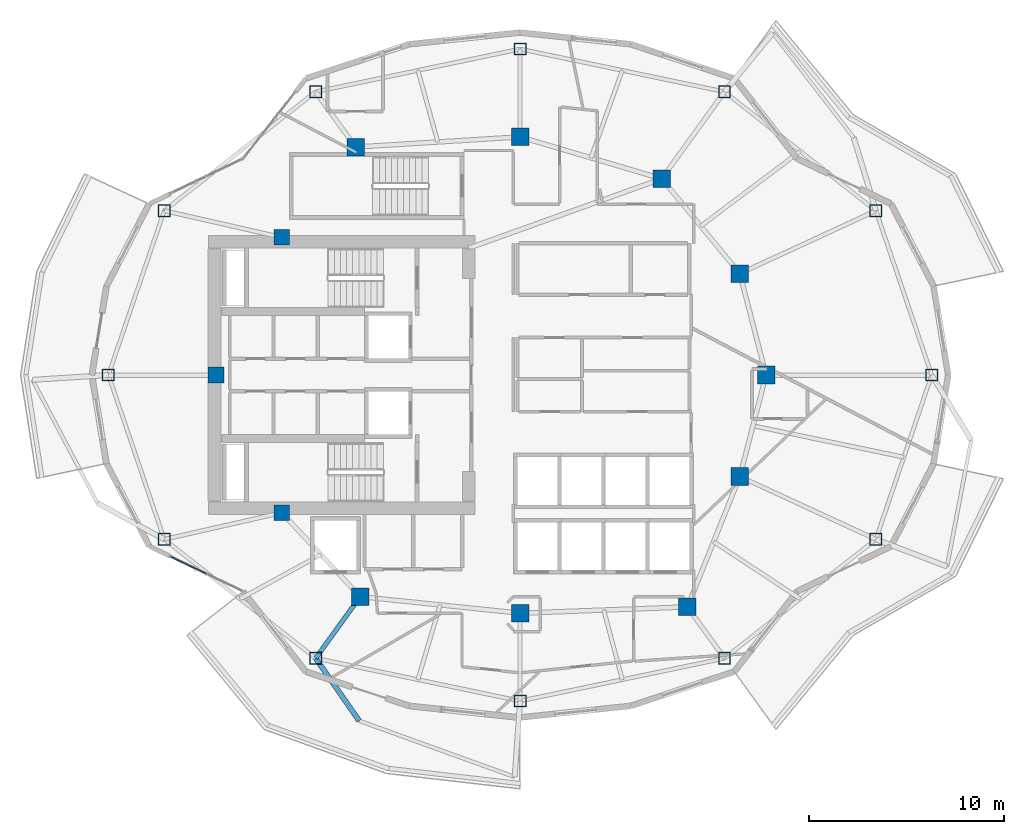
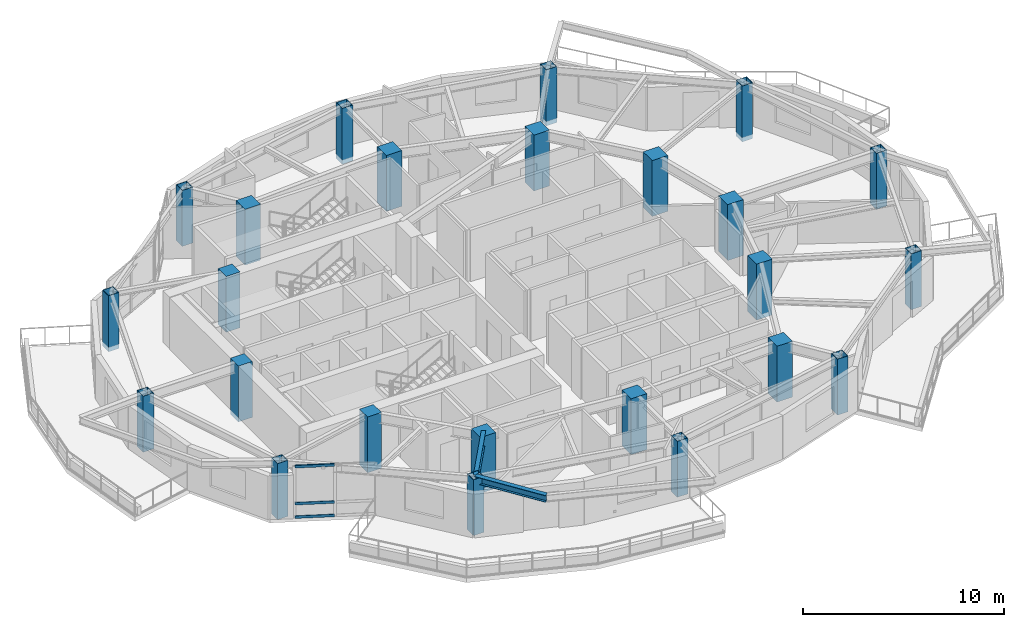
# One storey, part 1 of 13: 24 columns, 3 members, 2 beams, 1 element without a shape of its own.
"""IFC4 building model written with IfcOpenShell, lengths in metres."""

from ifc_helpers import new_model, si_unit, direction, frame, origin, origin_2d, place, context, subcontext, project, spatial, rectangle, hollow_rectangle, i_section, extrude, material, layer, layer_set, material_profile, profile_set, type_object, element, aggregate, save


model = new_model("IFC4")

# Units and contexts
model_context = context("Model", 3, precision=1e-05, world=origin(), true_north=direction((0.0, 1.0)))
body_context = subcontext(model_context, "Body", "Model", "MODEL_VIEW")
ifc_project = project(units=[si_unit("LENGTHUNIT", "METRE"), si_unit("AREAUNIT", "SQUARE_METRE"), si_unit("VOLUMEUNIT", "CUBIC_METRE"), si_unit("PLANEANGLEUNIT", "RADIAN"), si_unit("MASSUNIT", "GRAM", prefix="KILO")], contexts=[model_context])

# Site, building, storey
site_placement = place(None, origin())
site = spatial("IfcSite", under=ifc_project, at=site_placement, CompositionType="ELEMENT")
building_placement = place(site_placement, origin())
building = spatial("IfcBuilding", under=site, at=building_placement, Name="Kolvaren Gate Tower and Convention Centre", CompositionType="ELEMENT")
storey_placement = place(building_placement, frame((0.0, 0.0, 156.300048828125)))
storey = spatial("IfcBuildingStorey", under=building, at=storey_placement, Name="L40", CompositionType="ELEMENT", Elevation=156.300048828125)

# Columns
ifc_material_1 = material(Name="Structural steel ASTM A1085 Grade A 345 MPa", Category="steel")
ifc_material_profile_1 = material_profile(ifc_material_1, hollow_rectangle(XDim=0.610107421875, YDim=0.610107421875, WallThickness=0.025390625, at=origin_2d()), Name="HSS610X610X25.4")
ifc_profile_set_1 = profile_set([ifc_material_profile_1], Name="Structural steel ASTM A1085 Grade A 345 MPa")
column_type_1 = type_object("IfcColumnType", Name="STR-COL-HSS610", PredefinedType="COLUMN", material=ifc_profile_set_1)
for number, where, z_axis, x_axis, name in (
    (1, (51.21240234375, 27.0, -0.27001953125), (0.0, 0.0, 1.0), (1.0, 0.0, 0.0), "Tower L40 Perimeter Supercolumn TP-01"),
    (2, (48.351806640625, 35.418701171875, -0.27001953125), (0.0, 0.0, 1.0), (1.0, 0.0, 0.0), "Tower L40 Perimeter Supercolumn TP-02"),
    (3, (40.596435546875, 41.509521484375, -0.27001953125), (0.0, 0.0, 1.0), (1.0, 0.0, 0.0), "Tower L40 Perimeter Supercolumn TP-03"),
    (4, (30.125, 43.699951171875, -0.27001953125), (0.0, 0.0, 1.0), (1.0, 0.0, 0.0), "Tower L40 Perimeter Supercolumn TP-04"),
    (5, (19.65380859375, 41.509521484375, -0.27001953125), (0.0, 0.0, 1.0), (1.0, 0.0, 0.0), "Tower L40 Perimeter Supercolumn TP-05"),
    (6, (11.898193359375, 35.418701171875, -0.27001953125), (0.0, 0.0, 1.0), (1.0, 0.0, 0.0), "Tower L40 Perimeter Supercolumn TP-06"),
    (7, (9.03759765625, 27.0, -0.27001953125), (0.0, 0.0, 1.0), (1.0, 0.0, 0.0), "Tower L40 Perimeter Supercolumn TP-07"),
    (8, (11.898193359375, 18.581298828125, -0.27001953125), (0.0, 0.0, 1.0), (1.0, 0.0, 0.0), "Tower L40 Perimeter Supercolumn TP-08"),
    (9, (19.653564453125, 12.490478515625, -0.27001953125), (0.0, 0.0, 1.0), (1.0, 0.0, 0.0), "Tower L40 Perimeter Supercolumn TP-09"),
    (10, (30.125, 10.300048828125, -0.27001953125), (0.0, 0.0, 1.0), (1.0, 0.0, 0.0), "Tower L40 Perimeter Supercolumn TP-10"),
    (11, (40.596435546875, 12.490478515625, -0.27001953125), (0.0, 0.0, 1.0), (1.0, 0.0, 0.0), "Tower L40 Perimeter Supercolumn TP-11"),
    (12, (48.351806640625, 18.581298828125, -0.27001953125), (0.0, 0.0, 1.0), (1.0, 0.0, 0.0), "Tower L40 Perimeter Supercolumn TP-12"),
):
    element("IfcColumn", number, at=place(storey_placement, frame(where, z_axis=z_axis, x_axis=x_axis)), inside=storey, type_object=column_type_1, Name=name, PredefinedType="COLUMN", context=body_context, shape_type="SweptSolid", body=[
        extrude(hollow_rectangle(XDim=0.610107421875, YDim=0.610107421875, WallThickness=0.025390625, at=origin_2d()), origin(), (0.0, 0.0, 1.0), 3.39990234375),
    ])
ifc_material_2 = material(Name="Concrete C60/75", Category="concrete")
ifc_material_profile_2 = material_profile(ifc_material_2, rectangle(XDim=0.89990234375, YDim=0.89990234375, at=origin_2d()), Name="RC-COL-900X900")
ifc_profile_set_2 = profile_set([ifc_material_profile_2], Name="Concrete C60/75")
column_type_2 = type_object("IfcColumnType", Name="STR-COL-RC900", PredefinedType="COLUMN", material=ifc_profile_set_2)
for number, where, z_axis, x_axis, name in (
    (13, (42.72509765625, 27.0, -0.27001953125), (0.0, 0.0, 1.0), (1.0, 0.0, 0.0), "Tower L40 Interior Column TI-01"),
    (14, (41.382080078125, 32.199462890625, -0.27001953125), (0.0, 0.0, 1.0), (1.0, 0.0, 0.0), "Tower L40 Interior Column TI-02"),
    (15, (37.381591796875, 37.054931640625, -0.27001953125), (0.0, 0.0, 1.0), (1.0, 0.0, 0.0), "Tower L40 Interior Column TI-03"),
    (16, (30.125, 39.199951171875, -0.27001953125), (0.0, 0.0, 1.0), (1.0, 0.0, 0.0), "Tower L40 Interior Column TI-04"),
    (17, (21.697998046875, 38.6767578125, -0.27001953125), (0.0, 0.0, 1.0), (1.0, 0.0, 0.0), "Tower L40 Interior Column TI-05"),
    (18, (21.93212890625, 15.647705078125, -0.27001953125), (0.0, 0.0, 1.0), (1.0, 0.0, 0.0), "Tower L40 Interior Column TI-06"),
    (19, (30.125, 14.800048828125, -0.27001953125), (0.0, 0.0, 1.0), (1.0, 0.0, 0.0), "Tower L40 Interior Column TI-07"),
    (20, (38.6982421875, 15.12060546875, -0.27001953125), (0.0, 0.0, 1.0), (1.0, 0.0, 0.0), "Tower L40 Interior Column TI-08"),
    (21, (41.382080078125, 21.800537109375, -0.27001953125), (0.0, 0.0, 1.0), (1.0, 0.0, 0.0), "Tower L40 Interior Column TI-09"),
):
    element("IfcColumn", number, at=place(storey_placement, frame(where, z_axis=z_axis, x_axis=x_axis)), inside=storey, type_object=column_type_2, Name=name, PredefinedType="COLUMN", context=body_context, shape_type="SweptSolid", body=[
        extrude(rectangle(XDim=0.89990234375, YDim=0.89990234375, at=origin_2d()), origin(), (0.0, 0.0, 1.0), 3.39990234375),
    ])
ifc_material_profile_3 = material_profile(ifc_material_2, rectangle(XDim=0.800048828125, YDim=0.800048828125, at=origin_2d()), Name="RC-COL-800X800")
ifc_profile_set_3 = profile_set([ifc_material_profile_3], Name="Concrete C60/75")
column_type_3 = type_object("IfcColumnType", Name="STR-PIL-RC800", PredefinedType="PILASTER", material=ifc_profile_set_3)
for number, where, z_axis, x_axis, name in (
    (22, (17.9140625, 34.050048828125, -0.27001953125), (0.0, 0.0, 1.0), (1.0, 0.0, 0.0), "Tower L40 Core Boundary Pilaster TC-05"),
    (23, (14.550048828125, 27.0, -0.27001953125), (0.0, 0.0, 1.0), (1.0, 0.0, 0.0), "Tower L40 Core Boundary Pilaster TC-06"),
    (24, (17.9140625, 19.949951171875, -0.27001953125), (0.0, 0.0, 1.0), (1.0, 0.0, 0.0), "Tower L40 Core Boundary Pilaster TC-07"),
):
    element("IfcColumn", number, at=place(storey_placement, frame(where, z_axis=z_axis, x_axis=x_axis)), inside=storey, type_object=column_type_3, Name=name, PredefinedType="PILASTER", context=body_context, shape_type="SweptSolid", body=[
        extrude(rectangle(XDim=0.800048828125, YDim=0.800048828125, at=origin_2d()), origin(), (0.0, 0.0, 1.0), 3.39990234375),
    ])

# Curtain wall, members
ifc_material_3 = material(Name="Anodized Architectural Aluminium Alloy 6063-T6", Category="aluminium")
ifc_layer = layer(ifc_material_3, 0.159912109375)
ifc_layer_set = layer_set([ifc_layer], Name="Anodized Architectural Aluminium Alloy 6063-T6")
curtain_wall_type = type_object("IfcCurtainWallType", Name="CW-HTL-UNIT", PredefinedType="NOTDEFINED", material=ifc_layer_set)
curtain_wall_placement = place(storey_placement, origin())
curtain_wall = element("IfcCurtainWall", 25, at=curtain_wall_placement, inside=storey, type_object=curtain_wall_type, Name="Tower L40 Unitised Curtain Wall CW-HTL-UNIT Bay 14", PredefinedType="NOTDEFINED")
ifc_material_profile_4 = material_profile(ifc_material_3, rectangle(XDim=0.06494140625, YDim=0.159912109375, at=origin_2d()), Name="CW-MEM-TRN-160")
ifc_profile_set_4 = profile_set([ifc_material_profile_4], Name="Anodized Architectural Aluminium Alloy 6063-T6")
member_type = type_object("IfcMemberType", Name="CW-MEM-TRN-160", PredefinedType="USERDEFINED", material=ifc_profile_set_4)
member_1_placement = place(storey_placement, frame((12.249755859375, 17.685302734375, 0.032470703125), z_axis=(0.901369067985, -0.433051732799, 0.0), x_axis=(0.433051732799, 0.901369067985, 0.0)))
member_1 = element("IfcMember", 26, at=member_1_placement, type_object=member_type, Name="CW-03 transom 1.1", ObjectType="TRANSOM", PredefinedType="USERDEFINED", context=body_context, shape_type="SweptSolid", body=[
    extrude(rectangle(XDim=0.06494140625, YDim=0.159912109375, at=origin_2d()), origin(), (0.0, 0.0, 1.0), 1.97998046875),
])
member_2_placement = place(storey_placement, frame((12.249755859375, 17.685302734375, 0.849853515625), z_axis=(0.901369067985, -0.433051732799, 0.0), x_axis=(0.433051732799, 0.901369067985, 0.0)))
member_2 = element("IfcMember", 27, at=member_2_placement, type_object=member_type, Name="CW-03 transom 1.2", ObjectType="TRANSOM", PredefinedType="USERDEFINED", context=body_context, shape_type="SweptSolid", body=[
    extrude(rectangle(XDim=0.06494140625, YDim=0.159912109375, at=origin_2d()), origin(), (0.0, 0.0, 1.0), 1.97998046875),
])
member_3_placement = place(storey_placement, frame((12.249755859375, 17.685302734375, 3.097412109375), z_axis=(0.901369067985, -0.433051732799, 0.0), x_axis=(0.433051732799, 0.901369067985, 0.0)))
member_3 = element("IfcMember", 28, at=member_3_placement, type_object=member_type, Name="CW-03 transom 1.3", ObjectType="TRANSOM", PredefinedType="USERDEFINED", context=body_context, shape_type="SweptSolid", body=[
    extrude(rectangle(XDim=0.06494140625, YDim=0.159912109375, at=origin_2d()), origin(), (0.0, 0.0, 1.0), 1.97998046875),
])
aggregate(curtain_wall, [member_1, member_2, member_3])

# Beams
ifc_material_4 = material(Name="Structural steel ASTM A992 Grade 345 MPa", Category="steel")
ifc_material_profile_5 = material_profile(ifc_material_4, i_section(OverallWidth=0.260009765625, OverallDepth=0.419921875, WebThickness=0.013427734375, FlangeThickness=0.0224609375, at=origin_2d()), Name="W410X132")
ifc_profile_set_5 = profile_set([ifc_material_profile_5], Name="Structural steel ASTM A992 Grade 345 MPa")
beam_type_1 = type_object("IfcBeamType", Name="STR-BM-W410X132", PredefinedType="BEAM", material=ifc_profile_set_5)
beam_1_placement = place(storey_placement, frame((19.653564453125, 12.490478515625, 2.92041015625), z_axis=(0.57084620656, -0.821057006825, 0.0), x_axis=(0.821057006825, 0.57084620656, 0.0)))
element("IfcBeam", 29, at=beam_1_placement, inside=storey, type_object=beam_type_1, Name="Tower L41 Planted Balcony Outrigger Cantilever BC-3A", PredefinedType="BEAM", context=body_context, shape_type="SweptSolid", body=[
    extrude(i_section(OverallWidth=0.260009765625, OverallDepth=0.419921875, WebThickness=0.013427734375, FlangeThickness=0.0224609375, at=origin_2d()), origin(), (0.0, 0.0, 1.0), 3.900146484375),
])
ifc_material_profile_6 = material_profile(ifc_material_4, i_section(OverallWidth=0.22998046875, OverallDepth=0.616943359375, WebThickness=0.01318359375, FlangeThickness=0.022216796875, at=origin_2d()), Name="W610X140")
ifc_profile_set_6 = profile_set([ifc_material_profile_6], Name="Structural steel ASTM A992 Grade 345 MPa")
beam_type_2 = type_object("IfcBeamType", Name="STR-BM-W610X140", PredefinedType="BEAM", material=ifc_profile_set_6)
beam_2_placement = place(storey_placement, frame((21.93212890625, 15.647705078125, 2.821533203125), z_axis=(-0.585211215329, -0.810880899672, 0.0), x_axis=(0.810880899672, -0.585211215329, 0.0)))
element("IfcBeam", 30, at=beam_2_placement, inside=storey, type_object=beam_type_2, Name="Tower L40 Radial Floor Girder RB-09", PredefinedType="BEAM", context=body_context, shape_type="SweptSolid", body=[
    extrude(i_section(OverallWidth=0.22998046875, OverallDepth=0.616943359375, WebThickness=0.01318359375, FlangeThickness=0.022216796875, at=origin_2d()), origin(), (0.0, 0.0, 1.0), 3.8935546875),
])

save(model, "model.ifc")
